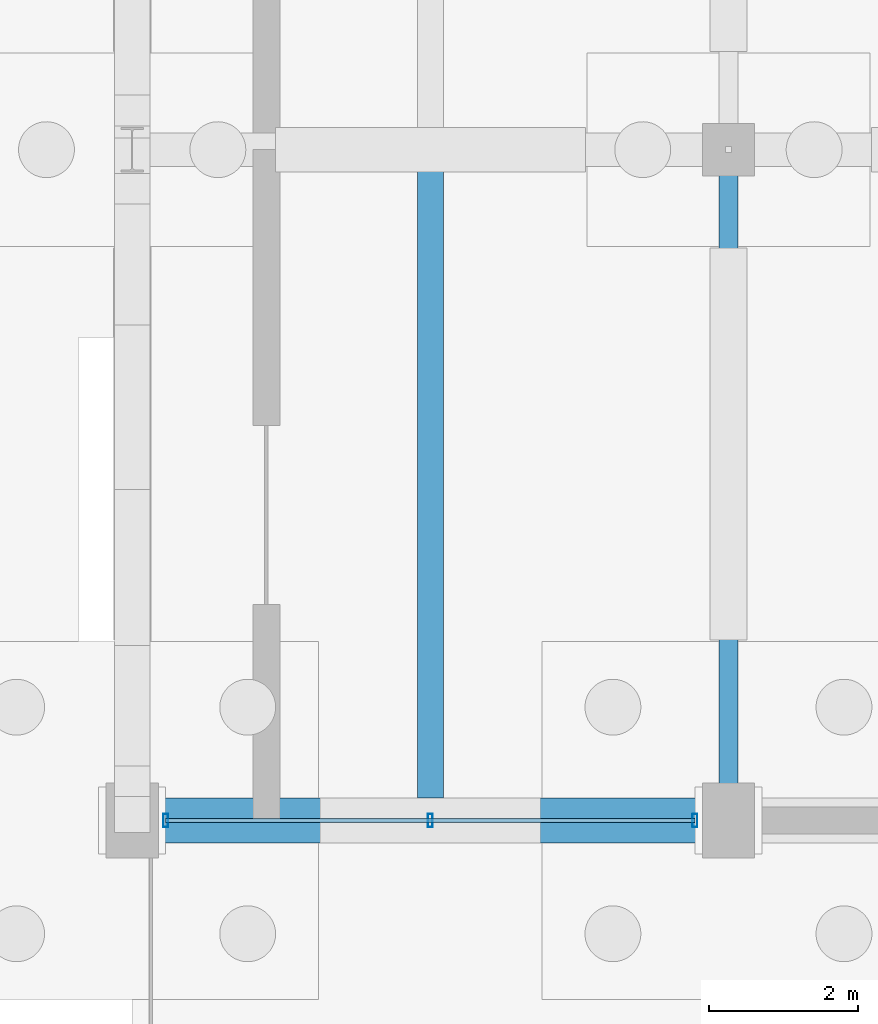
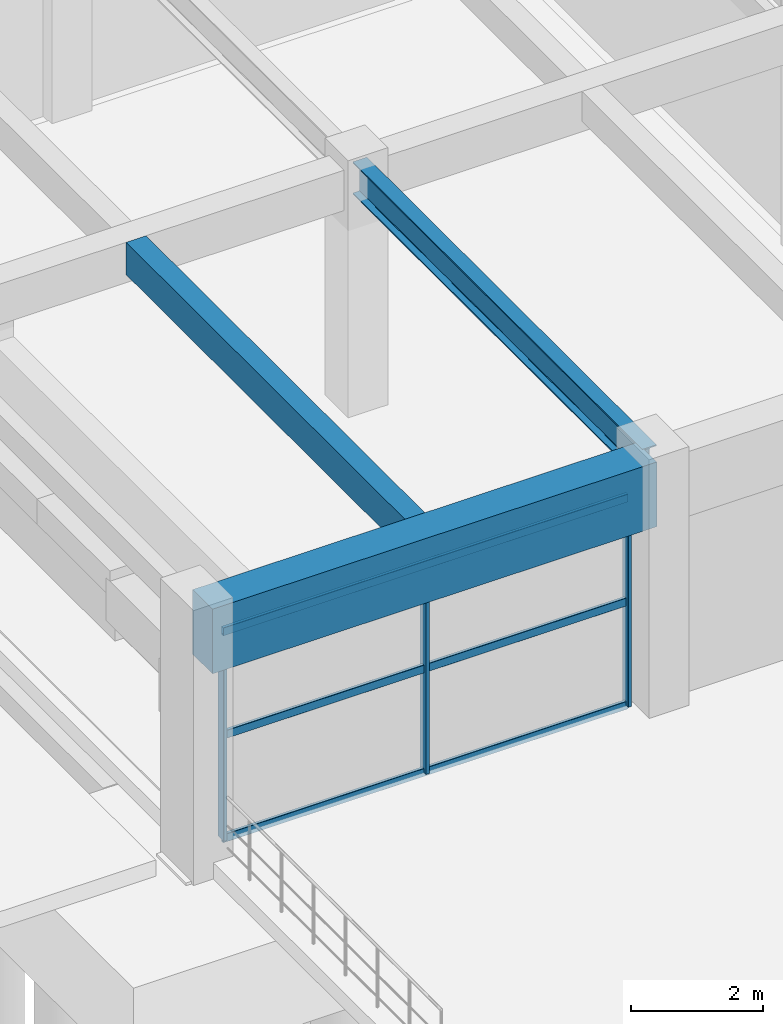
# One storey, part 44 of 147: 6 members, 3 beams, 1 element without a shape of its own.
"""IFC4 building model written with IfcOpenShell, lengths in metres."""

import ifcopenshell
import ifcopenshell.guid

model = None  # the IFC model being written
_history = None  # IfcOwnerHistory: only IFC2X3 demands one
_inside = {}  # id of a spatial element -> (the spatial element, [elements in it])
_under = {}  # id of a project, library or spatial element -> (it, [spatial elements below it])
_declared = {}  # id of a project -> (the project, [libraries it declares])
_typed = {}  # id of a type object -> (the type object, [elements of that type])
_made_of = {}  # id of a material, layer set ... -> (it, [elements and type objects made of it])


def new_model(schema):
    """Start an empty IFC model of exactly this schema.

    Asked for "IFC4X3", IfcOpenShell would pick the latest addendum, in which some entities
    have other attributes; the version numbers below select the first issue.
    IFC2X3 requires an IfcOwnerHistory on every rooted entity: one is made here for all.
    """
    global model, _history
    if schema == "IFC4X3":
        model = ifcopenshell.file(schema_version=(4, 3, 0, 0))
    else:
        model = ifcopenshell.file(schema=schema)
    _inside.clear()
    _under.clear()
    _declared.clear()
    _typed.clear()
    _made_of.clear()
    _history = None
    if model.schema == "IFC2X3":
        org = make("IfcOrganization", Name="unknown")
        user = make(
            "IfcPersonAndOrganization",
            ThePerson=make("IfcPerson", FamilyName="unknown"),
            TheOrganization=org,
        )
        app = make(
            "IfcApplication",
            ApplicationDeveloper=org,
            Version="unknown",
            ApplicationFullName="unknown",
            ApplicationIdentifier="unknown",
        )
        _history = make(
            "IfcOwnerHistory",
            OwningUser=user,
            OwningApplication=app,
            ChangeAction="ADDED",
            CreationDate=0,
        )
    return model


def make(cls, **values):
    """One entity of the class cls with the attributes given. An attribute that is None is left unset."""
    return model.create_entity(
        cls, **{name: value for name, value in values.items() if value is not None}
    )


def rooted(cls, **values):
    """An entity with a GlobalId (a new one), such as an element, a storey or a relation."""
    return make(cls, GlobalId=ifcopenshell.guid.new(), OwnerHistory=_history, **values)


def si_unit(unit_type, name, prefix=None):
    """IfcSIUnit, for example si_unit("LENGTHUNIT", "METRE", prefix="MILLI")."""
    return make("IfcSIUnit", UnitType=unit_type, Prefix=prefix, Name=name)


def assignment(units):
    """IfcUnitAssignment: the units of a project."""
    return None if units is None else make("IfcUnitAssignment", Units=units)


def point(xyz):
    """IfcCartesianPoint."""
    return None if xyz is None else make("IfcCartesianPoint", Coordinates=xyz)


def direction(xyz):
    """IfcDirection."""
    return None if xyz is None else make("IfcDirection", DirectionRatios=xyz)


def frame(location, z_axis=None, x_axis=None):
    """IfcAxis2Placement3D, a coordinate frame: its origin and axes. An axis left out is left unset."""
    return make(
        "IfcAxis2Placement3D",
        Location=point(location),
        Axis=direction(z_axis),
        RefDirection=direction(x_axis),
    )


def frame_2d(location, x_axis=None):
    """IfcAxis2Placement2D, a coordinate frame in the plane: its origin and x axis."""
    return make(
        "IfcAxis2Placement2D", Location=point(location), RefDirection=direction(x_axis)
    )


def origin():
    """The frame at (0, 0, 0) with its axes left unset."""
    return frame((0.0, 0.0, 0.0))


def origin_2d():
    """The frame at (0, 0) in the plane with its x axis left unset."""
    return frame_2d((0.0, 0.0))


def place(relative_to, where):
    """IfcLocalPlacement: puts the frame where relative to a parent placement (None: the world)."""
    return make(
        "IfcLocalPlacement", PlacementRelTo=relative_to, RelativePlacement=where
    )


def context(
    kind, dimensions, precision=None, world=None, true_north=None, identifier=None
):
    """IfcGeometricRepresentationContext, for example the 3D "Model" context."""
    return make(
        "IfcGeometricRepresentationContext",
        ContextIdentifier=identifier,
        ContextType=kind,
        CoordinateSpaceDimension=dimensions,
        Precision=precision,
        WorldCoordinateSystem=world,
        TrueNorth=true_north,
    )


def subcontext(parent, identifier, kind, view, scale=None):
    """IfcGeometricRepresentationSubContext, for example "Body" below "Model"."""
    return make(
        "IfcGeometricRepresentationSubContext",
        ContextIdentifier=identifier,
        ContextType=kind,
        ParentContext=parent,
        TargetScale=scale,
        TargetView=view,
    )


def project(units=None, contexts=None):
    """IfcProject with its units and contexts."""
    return rooted(
        "IfcProject",
        Name="project",
        RepresentationContexts=contexts,
        UnitsInContext=assignment(units),
    )


def spatial(cls, under=None, at=None, **own):
    """A site, building, storey or space (cls), placed at a placement, below another one or the project."""
    s = rooted(cls, ObjectPlacement=at, **own)
    if under is not None:
        _under.setdefault(under.id(), (under, []))[1].append(s)
    return s


def profile(cls, at=None, kind="AREA", **sizes):
    """A parametric profile (cls). Its sizes go by their IFC names, for example OverallWidth=200.0."""
    return make(cls, ProfileType=kind, Position=at, **sizes)


def rectangle(**sizes):
    """IfcRectangleProfileDef."""
    return profile("IfcRectangleProfileDef", **sizes)


def hollow_rectangle(**sizes):
    """IfcRectangleHollowProfileDef."""
    return profile("IfcRectangleHollowProfileDef", **sizes)


def i_section(**sizes):
    """IfcIShapeProfileDef."""
    return profile("IfcIShapeProfileDef", **sizes)


def extrude(swept, where, along, depth):
    """IfcExtrudedAreaSolid: the profile swept, set in the frame where, extruded along a direction by depth."""
    return make(
        "IfcExtrudedAreaSolid",
        SweptArea=swept,
        Position=where,
        ExtrudedDirection=direction(along),
        Depth=depth,
    )


def shape(context_of_items, identifier, shape_type, items):
    """IfcShapeRepresentation: the items that make up one representation, for example the "Body"."""
    return make(
        "IfcShapeRepresentation",
        ContextOfItems=context_of_items,
        RepresentationIdentifier=identifier,
        RepresentationType=shape_type,
        Items=items,
    )


def material(Name=None, Category=None):
    """IfcMaterial."""
    return make("IfcMaterial", Name=Name, Category=Category)


def material_profile(
    of_material, cross_section, Name=None, Category=None, Priority=None
):
    """IfcMaterialProfile: a cross section and its material."""
    return make(
        "IfcMaterialProfile",
        Name=Name,
        Material=of_material,
        Profile=cross_section,
        Priority=Priority,
        Category=Category,
    )


def profile_set(profiles, Name=None, composite=None):
    """IfcMaterialProfileSet."""
    return make(
        "IfcMaterialProfileSet",
        Name=Name,
        MaterialProfiles=profiles,
        CompositeProfile=composite,
    )


def made_of(thing, what):
    """Note that an element or type object is made of a material, layer set ...; save() writes the relation."""
    if what is not None:
        _made_of.setdefault(what.id(), (what, []))[1].append(thing)
    return thing


def type_object(cls, material=None, **own):
    """A type object (cls), such as IfcWallType, which elements share."""
    return made_of(rooted(cls, **own), material)


def element(
    cls,
    number,
    at=None,
    inside=None,
    cuts=None,
    type_object=None,
    material=None,
    context=None,
    identifier="Body",
    shape_type=None,
    held_by="IfcProductDefinitionShape",
    body=None,
    shapes=None,
    **own,
):
    """One element of the class cls, such as IfcWall. Its Tag is "e" and its number.

    at: its placement. inside: the storey or other place that contains it. cuts: it is an
    opening in that element (IfcRelVoidsElement). A single representation is given by context,
    identifier, shape_type and body (its items); several are given by shapes. held_by: the class
    of the entity that holds the representations. save() writes the other relations.
    """
    e = rooted(cls, Tag="e%d" % number, ObjectPlacement=at, **own)
    if body is not None:
        shapes = [shape(context, identifier, shape_type, body)]
    if shapes is not None:
        e.Representation = make(held_by, Representations=shapes)
    if inside is not None:
        _inside.setdefault(inside.id(), (inside, []))[1].append(e)
    if cuts is not None:
        rooted(
            "IfcRelVoidsElement", RelatingBuildingElement=cuts, RelatedOpeningElement=e
        )
    if type_object is not None:
        _typed.setdefault(type_object.id(), (type_object, []))[1].append(e)
    return made_of(e, material)


def aggregate(whole, parts):
    """IfcRelAggregates: a whole, such as a stair, and the parts it consists of."""
    return rooted("IfcRelAggregates", RelatingObject=whole, RelatedObjects=parts)


def save(model, path):
    """Write the relations noted so far, then the file.

    IfcRelAggregates (storeys below a building ...), IfcRelContainedInSpatialStructure (elements
    in a storey), IfcRelDefinesByType, IfcRelAssociatesMaterial and IfcRelDeclares: one each for
    every whole, place, type object, material and project.
    """
    for whole, parts in _under.values():
        aggregate(whole, parts)
    for where, things in _inside.values():
        rooted(
            "IfcRelContainedInSpatialStructure",
            RelatedElements=things,
            RelatingStructure=where,
        )
    for kind, things in _typed.values():
        rooted("IfcRelDefinesByType", RelatedObjects=things, RelatingType=kind)
    for what, things in _made_of.values():
        rooted("IfcRelAssociatesMaterial", RelatedObjects=things, RelatingMaterial=what)
    for by, libraries in _declared.values():
        rooted("IfcRelDeclares", RelatingContext=by, RelatedDefinitions=libraries)
    model.write(path)


model = new_model("IFC4")

# Units and contexts
model_context = context("Model", 3, precision=1e-05, world=origin(), true_north=direction((0.0, 1.0)))
body_context = subcontext(model_context, "Body", "Model", "MODEL_VIEW")
ifc_project = project(units=[si_unit("LENGTHUNIT", "METRE"), si_unit("AREAUNIT", "SQUARE_METRE"), si_unit("VOLUMEUNIT", "CUBIC_METRE"), si_unit("PLANEANGLEUNIT", "RADIAN"), si_unit("MASSUNIT", "GRAM", prefix="KILO")], contexts=[model_context])

# Site, building, storey
site_placement = place(None, origin())
site = spatial("IfcSite", under=ifc_project, at=site_placement, CompositionType="ELEMENT")
building_placement = place(site_placement, origin())
building = spatial("IfcBuilding", under=site, at=building_placement, Name="Varnabhumi Central Station", CompositionType="ELEMENT")
storey_placement = place(building_placement, origin())
storey = spatial("IfcBuildingStorey", under=building, at=storey_placement, Name="L00", CompositionType="ELEMENT", Elevation=0.0)

# Beams
ifc_material_1 = material(Name="Concrete M50", Category="concrete")
ifc_material_profile_1 = material_profile(ifc_material_1, rectangle(XDim=0.60009765625, YDim=1.199951171875, at=origin_2d()), Name="Concrete M50", Category="concrete")
ifc_profile_set_1 = profile_set([ifc_material_profile_1], Name="Concrete M50")
beam_type_1 = type_object("IfcBeamType", Name="BM-RC-1200x600", PredefinedType="BEAM", material=ifc_profile_set_1)
beam_1_placement = place(storey_placement, frame((0.10009765625, 80.0, 3.949951171875), z_axis=(1.0, 0.0, 0.0), x_axis=(0.0, 1.0, 0.0)))
element("IfcBeam", 1, at=beam_1_placement, inside=storey, type_object=beam_type_1, Name="Beam L00-K:1-2", PredefinedType="BEAM", context=body_context, shape_type="SweptSolid", body=[
    extrude(rectangle(XDim=0.60009765625, YDim=1.199951171875, at=origin_2d()), origin(), (0.0, 0.0, 1.0), 7.7998046875),
])
ifc_material_2 = material(Name="Concrete M40", Category="concrete")
ifc_material_profile_2 = material_profile(ifc_material_2, rectangle(XDim=0.35009765625, YDim=0.60009765625, at=origin_2d()), Name="Concrete M40", Category="concrete")
ifc_profile_set_2 = profile_set([ifc_material_profile_2], Name="Concrete M40")
beam_type_2 = type_object("IfcBeamType", Name="BM-RC-600x350", PredefinedType="JOIST", material=ifc_profile_set_2)
beam_2_placement = place(storey_placement, frame((4.0, 80.300048828125, 4.25), z_axis=(0.0, 1.0, 0.0), x_axis=(-1.0, 0.0, 0.0)))
element("IfcBeam", 2, at=beam_2_placement, inside=storey, type_object=beam_type_2, Name="Secondary Joist L00-1/2:K-L", PredefinedType="JOIST", context=body_context, shape_type="SweptSolid", body=[
    extrude(rectangle(XDim=0.35009765625, YDim=0.60009765625, at=origin_2d()), origin(), (0.0, 0.0, 1.0), 8.474853515625),
])
ifc_material_3 = material(Name="Structural steel E350", Category="steel")
ifc_material_profile_3 = material_profile(ifc_material_3, i_section(OverallWidth=0.25, OverallDepth=0.60009765625, WebThickness=0.01171875, FlangeThickness=0.023681640625, FilletRadius=0.01708984375, at=origin_2d()), Name="Structural steel E350", Category="steel")
ifc_profile_set_3 = profile_set([ifc_material_profile_3], Name="Structural steel E350")
beam_type_3 = type_object("IfcBeamType", Name="BM-SEC-ISWB600", PredefinedType="BEAM", material=ifc_profile_set_3)
beam_3_placement = place(storey_placement, frame((8.0, 80.10009765625, 4.25), z_axis=(0.0, 1.0, 0.0), x_axis=(-1.0, 0.0, 0.0)))
element("IfcBeam", 3, at=beam_3_placement, inside=storey, type_object=beam_type_3, Name="Beam L00-2:K-L", PredefinedType="BEAM", context=body_context, shape_type="SweptSolid", body=[
    extrude(i_section(OverallWidth=0.25, OverallDepth=0.60009765625, WebThickness=0.01171875, FlangeThickness=0.023681640625, FilletRadius=0.01708984375, at=origin_2d()), origin(), (0.0, 0.0, 1.0), 8.7998046875),
])

# Curtain wall, members
ifc_material_4 = material(Name="Anodised aluminium 6063-T6", Category="aluminium")
curtain_wall_type = type_object("IfcCurtainWallType", Name="CW-SPINE-SCREEN-L0", PredefinedType="NOTDEFINED", material=ifc_material_4)
curtain_wall_placement = place(storey_placement, origin())
curtain_wall = element("IfcCurtainWall", 4, at=curtain_wall_placement, inside=storey, type_object=curtain_wall_type, Name="Curtain Wall CW-NS000", PredefinedType="NOTDEFINED")
ifc_material_profile_4 = material_profile(ifc_material_4, hollow_rectangle(XDim=0.06494140625, YDim=0.179931640625, WallThickness=0.00390625, InnerFilletRadius=0.001953125, OuterFilletRadius=0.006103515625, at=origin_2d()), Name="Anodised aluminium 6063-T6", Category="aluminium")
ifc_profile_set_4 = profile_set([ifc_material_profile_4], Name="Anodised aluminium 6063-T6")
member_type_1 = type_object("IfcMemberType", Name="CW-MUL-180", PredefinedType="MULLION", material=ifc_profile_set_4)
member_1_placement = place(storey_placement, frame((0.449951171875, 80.0, 0.0), z_axis=(0.0, 0.0, 1.0), x_axis=(1.0, 0.0, 0.0)))
member_1 = element("IfcMember", 5, at=member_1_placement, type_object=member_type_1, Name="Curtain Wall Mullion CW-NS000-M1", PredefinedType="MULLION", context=body_context, shape_type="SweptSolid", body=[
    extrude(hollow_rectangle(XDim=0.06494140625, YDim=0.179931640625, WallThickness=0.00390625, InnerFilletRadius=0.001953125, OuterFilletRadius=0.006103515625, at=origin_2d()), origin(), (0.0, 0.0, 1.0), 3.840087890625),
])
member_2_placement = place(storey_placement, frame((4.0, 80.0, 0.0), z_axis=(0.0, 0.0, 1.0), x_axis=(1.0, 0.0, 0.0)))
member_2 = element("IfcMember", 6, at=member_2_placement, type_object=member_type_1, Name="Curtain Wall Mullion CW-NS000-M2", PredefinedType="MULLION", context=body_context, shape_type="SweptSolid", body=[
    extrude(hollow_rectangle(XDim=0.06494140625, YDim=0.179931640625, WallThickness=0.00390625, InnerFilletRadius=0.001953125, OuterFilletRadius=0.006103515625, at=origin_2d()), origin(), (0.0, 0.0, 1.0), 3.840087890625),
])
member_3_placement = place(storey_placement, frame((7.550048828125, 80.0, 0.0), z_axis=(0.0, 0.0, 1.0), x_axis=(1.0, 0.0, 0.0)))
member_3 = element("IfcMember", 7, at=member_3_placement, type_object=member_type_1, Name="Curtain Wall Mullion CW-NS000-M3", PredefinedType="MULLION", context=body_context, shape_type="SweptSolid", body=[
    extrude(hollow_rectangle(XDim=0.06494140625, YDim=0.179931640625, WallThickness=0.00390625, InnerFilletRadius=0.001953125, OuterFilletRadius=0.006103515625, at=origin_2d()), origin(), (0.0, 0.0, 1.0), 3.840087890625),
])
ifc_material_profile_5 = material_profile(ifc_material_4, hollow_rectangle(XDim=0.06005859375, YDim=0.14990234375, WallThickness=0.00390625, InnerFilletRadius=0.001953125, OuterFilletRadius=0.006103515625, at=origin_2d()), Name="Anodised aluminium 6063-T6", Category="aluminium")
ifc_profile_set_5 = profile_set([ifc_material_profile_5], Name="Anodised aluminium 6063-T6")
member_type_2 = type_object("IfcMemberType", Name="CW-TR-150", PredefinedType="USERDEFINED", material=ifc_profile_set_5)
member_4_placement = place(storey_placement, frame((0.449951171875, 80.0, 0.0), z_axis=(1.0, 0.0, 0.0), x_axis=(0.0, 1.0, 0.0)))
member_4 = element("IfcMember", 8, at=member_4_placement, type_object=member_type_2, Name="Curtain Wall Transom CW-NS000-T1", ObjectType="TRANSOM", PredefinedType="USERDEFINED", context=body_context, shape_type="SweptSolid", body=[
    extrude(hollow_rectangle(XDim=0.06005859375, YDim=0.14990234375, WallThickness=0.00390625, InnerFilletRadius=0.001953125, OuterFilletRadius=0.006103515625, at=origin_2d()), origin(), (0.0, 0.0, 1.0), 7.10009765625),
])
member_5_placement = place(storey_placement, frame((0.449951171875, 80.0, 1.919921875), z_axis=(1.0, 0.0, 0.0), x_axis=(0.0, 1.0, 0.0)))
member_5 = element("IfcMember", 9, at=member_5_placement, type_object=member_type_2, Name="Curtain Wall Transom CW-NS000-T2", ObjectType="TRANSOM", PredefinedType="USERDEFINED", context=body_context, shape_type="SweptSolid", body=[
    extrude(hollow_rectangle(XDim=0.06005859375, YDim=0.14990234375, WallThickness=0.00390625, InnerFilletRadius=0.001953125, OuterFilletRadius=0.006103515625, at=origin_2d()), origin(), (0.0, 0.0, 1.0), 7.10009765625),
])
member_6_placement = place(storey_placement, frame((0.449951171875, 80.0, 3.840087890625), z_axis=(1.0, 0.0, 0.0), x_axis=(0.0, 1.0, 0.0)))
member_6 = element("IfcMember", 10, at=member_6_placement, type_object=member_type_2, Name="Curtain Wall Transom CW-NS000-T3", ObjectType="TRANSOM", PredefinedType="USERDEFINED", context=body_context, shape_type="SweptSolid", body=[
    extrude(hollow_rectangle(XDim=0.06005859375, YDim=0.14990234375, WallThickness=0.00390625, InnerFilletRadius=0.001953125, OuterFilletRadius=0.006103515625, at=origin_2d()), origin(), (0.0, 0.0, 1.0), 7.10009765625),
])
aggregate(curtain_wall, [member_1, member_2, member_3, member_4, member_5, member_6])

save(model, "model.ifc")
